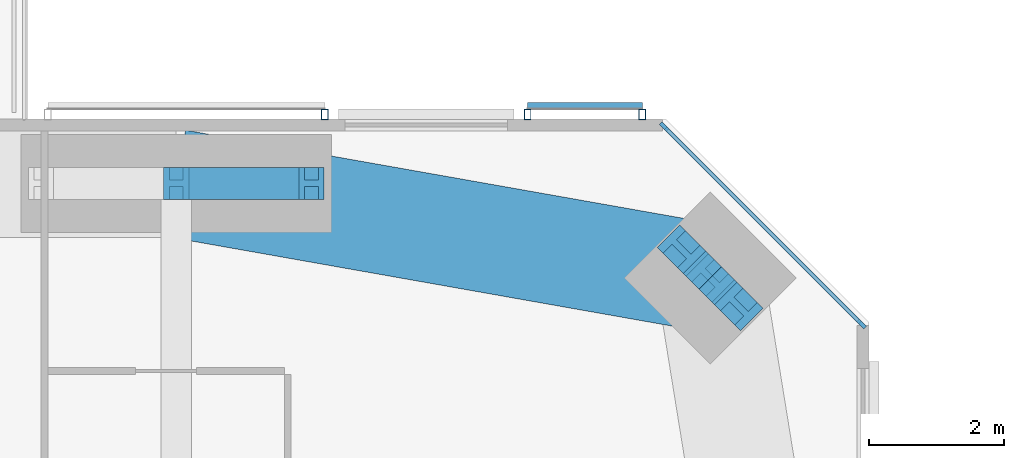
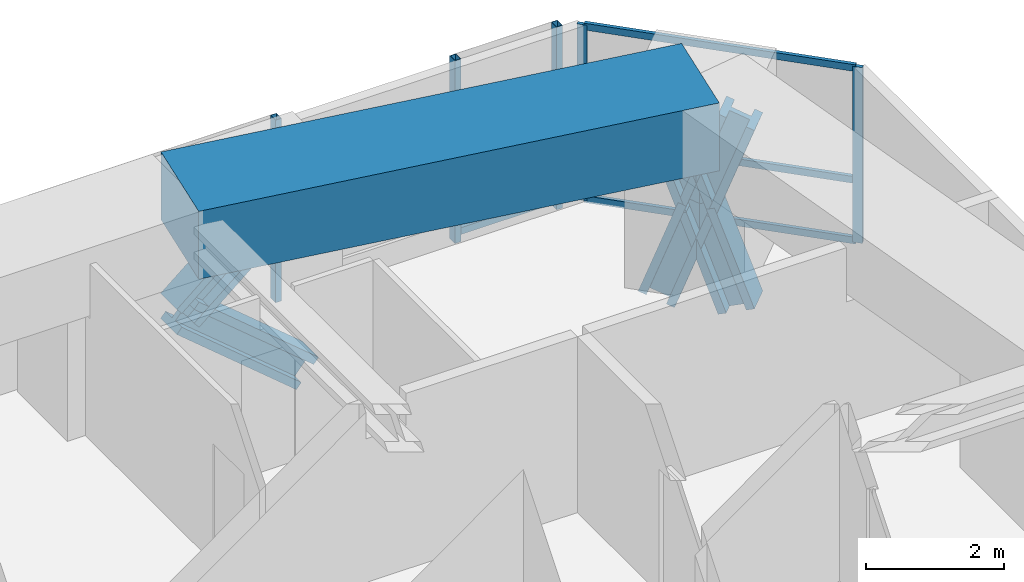
# One storey, part 13 of 22: 15 members, 1 beam, 3 elements without a shape of their own.
"""IFC4 building model written with IfcOpenShell, lengths in metres."""

from ifc_helpers import new_model, si_unit, direction, frame, origin, origin_2d, place, context, subcontext, project, spatial, rectangle, hollow_rectangle, i_section, extrude, material, material_profile, profile_set, type_object, element, aggregate, save


model = new_model("IFC4")

# Units and contexts
model_context = context("Model", 3, precision=1e-05, world=origin(), true_north=direction((0.0, 1.0)))
body_context = subcontext(model_context, "Body", "Model", "MODEL_VIEW")
ifc_project = project(units=[si_unit("LENGTHUNIT", "METRE"), si_unit("AREAUNIT", "SQUARE_METRE"), si_unit("VOLUMEUNIT", "CUBIC_METRE"), si_unit("PLANEANGLEUNIT", "RADIAN"), si_unit("MASSUNIT", "GRAM", prefix="KILO")], contexts=[model_context])

# Site, building, storey
site_placement = place(None, origin())
site = spatial("IfcSite", under=ifc_project, at=site_placement, CompositionType="ELEMENT")
building_placement = place(site_placement, origin())
building = spatial("IfcBuilding", under=site, at=building_placement, Name="Jalousie Tower", CompositionType="ELEMENT")
storey_placement = place(building_placement, frame((0.0, 0.0, 177.800048828125)))
storey = spatial("IfcBuildingStorey", under=building, at=storey_placement, Name="L48", CompositionType="ELEMENT", Elevation=177.800048828125)

# Curtain wall, members
ifc_material_1 = material(Name="Aluminium curtain wall", Category="aluminium")
curtain_wall_type_1 = type_object("IfcCurtainWallType", Name="CORNER WINDOW WALL", PredefinedType="USERDEFINED", material=ifc_material_1)
curtain_wall_1_placement = place(storey_placement, origin())
curtain_wall_1 = element("IfcCurtainWall", 1, at=curtain_wall_1_placement, inside=storey, type_object=curtain_wall_type_1, Name="Corner Window Wall L48 4", ObjectType="CORNER WINDOW WALL", PredefinedType="USERDEFINED")
ifc_material_2 = material(Name="Aluminium mullion", Category="aluminium")
ifc_material_profile_1 = material_profile(ifc_material_2, rectangle(XDim=0.06005859375, YDim=0.14990234375, at=origin_2d()), Name="MULLION 60x150")
ifc_profile_set_1 = profile_set([ifc_material_profile_1], Name="Aluminium mullion")
member_type_1 = type_object("IfcMemberType", Name="CORNER WINDOW WALL MULLION", PredefinedType="MULLION", material=ifc_profile_set_1)
member_1_placement = place(storey_placement, frame((52.891357421875, 32.969970703125, 0.0), z_axis=(0.0, 0.0, 1.0), x_axis=(-0.707106781187, -0.707106781187, 0.0)))
member_1 = element("IfcMember", 2, at=member_1_placement, type_object=member_type_1, Name="CW-C mullion 1", PredefinedType="MULLION", context=body_context, shape_type="SweptSolid", body=[
    extrude(rectangle(XDim=0.06005859375, YDim=0.14990234375, at=origin_2d()), origin(), (0.0, 0.0, 1.0), 3.10986328125),
])
member_2_placement = place(storey_placement, frame((49.969970703125, 35.891357421875, 0.0), z_axis=(0.0, 0.0, 1.0), x_axis=(-0.707106781187, -0.707106781187, 0.0)))
member_2 = element("IfcMember", 3, at=member_2_placement, type_object=member_type_1, Name="CW-C mullion 2", PredefinedType="MULLION", context=body_context, shape_type="SweptSolid", body=[
    extrude(rectangle(XDim=0.06005859375, YDim=0.14990234375, at=origin_2d()), origin(), (0.0, 0.0, 1.0), 3.10986328125),
])
ifc_material_3 = material(Name="Aluminium transom", Category="aluminium")
ifc_material_profile_2 = material_profile(ifc_material_3, rectangle(XDim=0.06005859375, YDim=0.1201171875, at=origin_2d()), Name="TRANSOM 60x120")
ifc_profile_set_2 = profile_set([ifc_material_profile_2], Name="Aluminium transom")
member_type_2 = type_object("IfcMemberType", Name="CORNER WINDOW WALL TRANSOM", PredefinedType="USERDEFINED", material=ifc_profile_set_2)
member_3_placement = place(storey_placement, frame((52.8701171875, 32.9912109375, 0.030029296875), z_axis=(-0.707106781187, 0.707106781187, 0.0), x_axis=(-0.707106781187, -0.707106781187, 0.0)))
member_3 = element("IfcMember", 4, at=member_3_placement, type_object=member_type_2, Name="CW-C transom 1.1", ObjectType="TRANSOM", PredefinedType="USERDEFINED", context=body_context, shape_type="SweptSolid", body=[
    extrude(rectangle(XDim=0.06005859375, YDim=0.1201171875, at=origin_2d()), origin(), (0.0, 0.0, 1.0), 4.0712890625),
])
member_4_placement = place(storey_placement, frame((52.8701171875, 32.9912109375, 1.099853515625), z_axis=(-0.707106781187, 0.707106781187, 0.0), x_axis=(-0.707106781187, -0.707106781187, 0.0)))
member_4 = element("IfcMember", 5, at=member_4_placement, type_object=member_type_2, Name="CW-C transom 1.2", ObjectType="TRANSOM", PredefinedType="USERDEFINED", context=body_context, shape_type="SweptSolid", body=[
    extrude(rectangle(XDim=0.06005859375, YDim=0.1201171875, at=origin_2d()), origin(), (0.0, 0.0, 1.0), 4.0712890625),
])
member_5_placement = place(storey_placement, frame((52.8701171875, 32.9912109375, 3.079833984375), z_axis=(-0.707106781187, 0.707106781187, 0.0), x_axis=(-0.707106781187, -0.707106781187, 0.0)))
member_5 = element("IfcMember", 6, at=member_5_placement, type_object=member_type_2, Name="CW-C transom 1.3", ObjectType="TRANSOM", PredefinedType="USERDEFINED", context=body_context, shape_type="SweptSolid", body=[
    extrude(rectangle(XDim=0.06005859375, YDim=0.1201171875, at=origin_2d()), origin(), (0.0, 0.0, 1.0), 4.0712890625),
])
aggregate(curtain_wall_1, [member_1, member_2, member_3, member_4, member_5])

# Members
ifc_material_4 = material(Name="Steel ASTM A992 Grade 50", Category="steel")
ifc_material_profile_3 = material_profile(ifc_material_4, i_section(OverallWidth=0.472412109375, OverallDepth=0.5791015625, WebThickness=0.094970703125, FlangeThickness=0.1298828125, at=origin_2d()), Name="W14X808")
ifc_profile_set_3 = profile_set([ifc_material_profile_3], Name="Steel ASTM A992 Grade 50")
member_type_3 = type_object("IfcMemberType", Name="PERIMETER BRACE W14X808", PredefinedType="BRACE", material=ifc_profile_set_3)
for number, where, z_axis, x_axis, name in (
    (7, (51.07568359375, 33.227294921875, -0.60009765625), (-0.238345540878, 0.238482757655, 0.941444303953), (-0.707310235866, -0.706903267951, 0.0), "Perimeter brace 08 L48 part 1"),
    (8, (50.651611328125, 33.651611328125, 1.074951171875), (-0.238482757655, 0.238345540878, 0.941444303953), (-0.706903267951, -0.707310235866, 0.0), "Perimeter brace 08 L48 part 2"),
    (9, (50.227294921875, 34.07568359375, -0.60009765625), (0.238482757655, -0.238345540878, 0.941444303953), (0.706903267951, 0.707310235866, 0.0), "Perimeter brace 08 L48 part 3"),
    (10, (50.651611328125, 33.651611328125, 1.074951171875), (0.238345540878, -0.238482757655, 0.941444303953), (0.707310235866, 0.706903267951, 0.0), "Perimeter brace 08 L48 part 4"),
):
    element("IfcMember", number, at=place(storey_placement, frame(where, z_axis=z_axis, x_axis=x_axis)), inside=storey, type_object=member_type_3, Name=name, PredefinedType="BRACE", context=body_context, shape_type="SweptSolid", body=[
        extrude(i_section(OverallWidth=0.472412109375, OverallDepth=0.5791015625, WebThickness=0.094970703125, FlangeThickness=0.1298828125, at=origin_2d()), origin(), (0.0, 0.0, 1.0), 1.779296875),
    ])
for number, where, z_axis, x_axis, name in (
    (11, (42.75, 35.050048828125, 1.074951171875), (0.766638753323, 0.0, 0.642078672674), (0.0, 1.0, 0.0), "Perimeter brace 09 L48 part 2"),
    (12, (44.75, 35.050048828125, -0.60009765625), (-0.766638753323, 0.0, 0.642078672674), (0.0, -1.0, 0.0), "Perimeter brace 09 L48 part 3"),
):
    element("IfcMember", number, at=place(storey_placement, frame(where, z_axis=z_axis, x_axis=x_axis)), inside=storey, type_object=member_type_3, Name=name, PredefinedType="BRACE", context=body_context, shape_type="SweptSolid", body=[
        extrude(i_section(OverallWidth=0.472412109375, OverallDepth=0.5791015625, WebThickness=0.094970703125, FlangeThickness=0.1298828125, at=origin_2d()), origin(), (0.0, 0.0, 1.0), 2.60888671875),
    ])

# Beam
ifc_material_5 = material(Name="Concrete f'c 40 MPa", Category="concrete")
ifc_material_profile_4 = material_profile(ifc_material_5, rectangle(XDim=1.60009765625, YDim=1.199951171875, at=origin_2d()), Name="RC 1600x1200")
ifc_profile_set_4 = profile_set([ifc_material_profile_4], Name="Concrete f'c 40 MPa")
beam_type = type_object("IfcBeamType", Name="RC BEAM 1600x1200", PredefinedType="BEAM", material=ifc_profile_set_4)
beam_placement = place(storey_placement, frame((50.651611328125, 33.651611328125, 2.75), z_axis=(-0.984697370688, 0.174273027632, 0.0), x_axis=(-0.174273027632, -0.984697370688, 0.0)))
element("IfcBeam", 13, at=beam_placement, inside=storey, type_object=beam_type, Name="Edge band beam 08-09 under L49", PredefinedType="BEAM", context=body_context, shape_type="SweptSolid", body=[
    extrude(rectangle(XDim=1.60009765625, YDim=1.199951171875, at=origin_2d()), origin(), (0.0, 0.0, 1.0), 8.0244140625),
])

# Curtain wall, members
ifc_material_6 = material(Name="Perforated aluminium sheet", Category="aluminium")
curtain_wall_type_2 = type_object("IfcCurtainWallType", Name="SOLAR SCREEN SS-1", PredefinedType="USERDEFINED", material=ifc_material_6)
curtain_wall_2_placement = place(storey_placement, origin())
curtain_wall_2 = element("IfcCurtainWall", 14, at=curtain_wall_2_placement, inside=storey, type_object=curtain_wall_type_2, Name="Solar screen L48", ObjectType="SOLAR SCREEN SS-1", PredefinedType="USERDEFINED")
ifc_material_7 = material(Name="Steel ASTM A500 Grade C", Category="steel")
ifc_material_profile_5 = material_profile(ifc_material_7, hollow_rectangle(XDim=0.1015625, YDim=0.15234375, WallThickness=0.00634765625, at=origin_2d()), Name="HSS6X4X1/4")
ifc_profile_set_5 = profile_set([ifc_material_profile_5], Name="Steel ASTM A500 Grade C")
member_type_4 = type_object("IfcMemberType", Name="SOLAR SCREEN SS-1 MULLION", PredefinedType="MULLION", material=ifc_profile_set_5)
member_6_placement = place(storey_placement, frame((49.648681640625, 36.0712890625, -0.1201171875), z_axis=(0.0, 0.0, 1.0), x_axis=(-1.0, 0.0, 0.0)))
member_6 = element("IfcMember", 15, at=member_6_placement, type_object=member_type_4, Name="SS1 post 1", PredefinedType="MULLION", context=body_context, shape_type="SweptSolid", body=[
    extrude(hollow_rectangle(XDim=0.1015625, YDim=0.15234375, WallThickness=0.00634765625, at=origin_2d()), origin(), (0.0, 0.0, 1.0), 3.22998046875),
])
member_7_placement = place(storey_placement, frame((47.94921875, 36.0712890625, -0.1201171875), z_axis=(0.0, 0.0, 1.0), x_axis=(-1.0, 0.0, 0.0)))
member_7 = element("IfcMember", 16, at=member_7_placement, type_object=member_type_4, Name="SS1 post 2", PredefinedType="MULLION", context=body_context, shape_type="SweptSolid", body=[
    extrude(hollow_rectangle(XDim=0.1015625, YDim=0.15234375, WallThickness=0.00634765625, at=origin_2d()), origin(), (0.0, 0.0, 1.0), 3.22998046875),
])

# Curtain wall, member
curtain_wall_3_placement = place(storey_placement, origin())
curtain_wall_3 = element("IfcCurtainWall", 17, at=curtain_wall_3_placement, inside=storey, type_object=curtain_wall_type_2, Name="Solar screen L48", ObjectType="SOLAR SCREEN SS-1", PredefinedType="USERDEFINED")
member_8_placement = place(storey_placement, frame((44.94921875, 36.0712890625, -0.1201171875), z_axis=(0.0, 0.0, 1.0), x_axis=(-1.0, 0.0, 0.0)))
member_8 = element("IfcMember", 18, at=member_8_placement, type_object=member_type_4, Name="SS1 post 1", PredefinedType="MULLION", context=body_context, shape_type="SweptSolid", body=[
    extrude(hollow_rectangle(XDim=0.1015625, YDim=0.15234375, WallThickness=0.00634765625, at=origin_2d()), origin(), (0.0, 0.0, 1.0), 3.22998046875),
])
aggregate(curtain_wall_3, [member_8])

# Member
ifc_material_8 = material(Name="Extruded aluminium screen rail", Category="aluminium")
ifc_material_profile_6 = material_profile(ifc_material_8, rectangle(XDim=0.1015625, YDim=0.1201171875, at=origin_2d()), Name="RAIL 102x120")
ifc_profile_set_6 = profile_set([ifc_material_profile_6], Name="Extruded aluminium screen rail")
member_type_5 = type_object("IfcMemberType", Name="SOLAR SCREEN SS-1 TRANSOM", PredefinedType="USERDEFINED", material=ifc_profile_set_6)
member_9_placement = place(storey_placement, frame((49.648681640625, 36.1982421875, -0.06005859375), z_axis=(-1.0, 0.0, 0.0), x_axis=(0.0, -1.0, 0.0)))
member_9 = element("IfcMember", 19, at=member_9_placement, type_object=member_type_5, Name="SS1 rail", ObjectType="TRANSOM", PredefinedType="USERDEFINED", context=body_context, shape_type="SweptSolid", body=[
    extrude(rectangle(XDim=0.1015625, YDim=0.1201171875, at=origin_2d()), origin(), (0.0, 0.0, 1.0), 1.699462890625),
])

aggregate(curtain_wall_2, [member_6, member_7, member_9])

save(model, "model.ifc")
